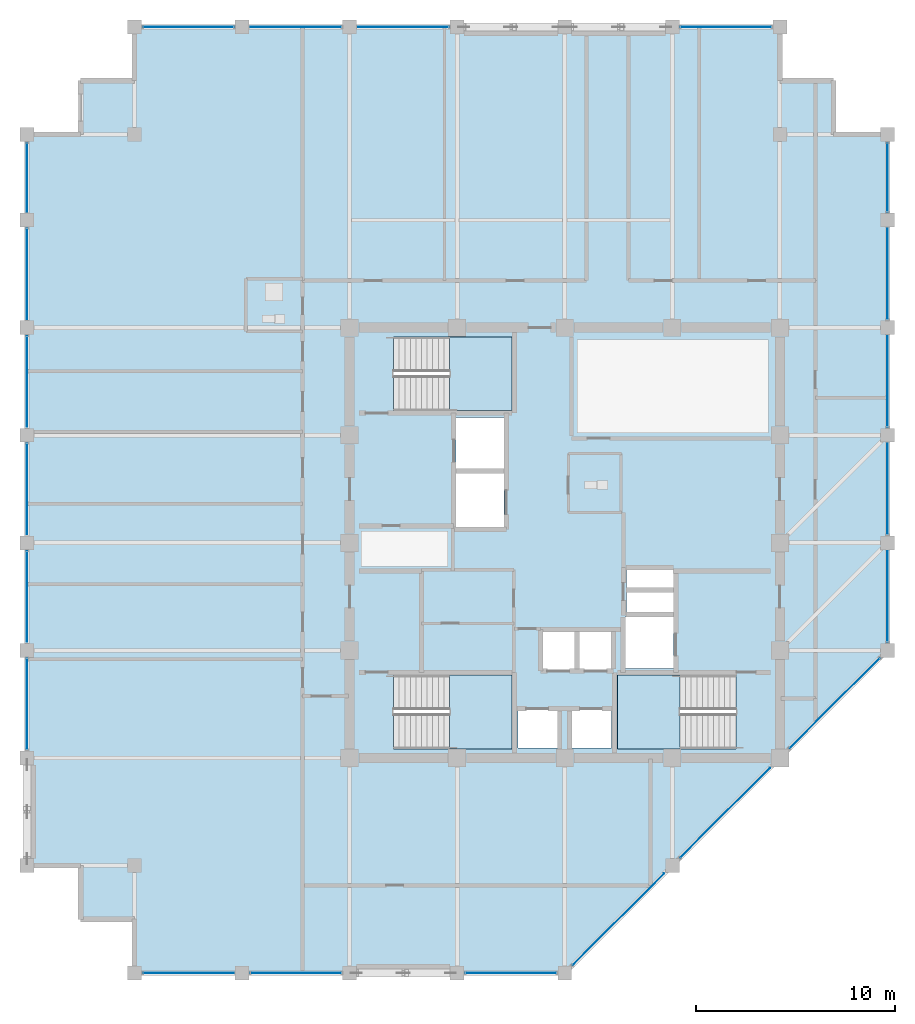
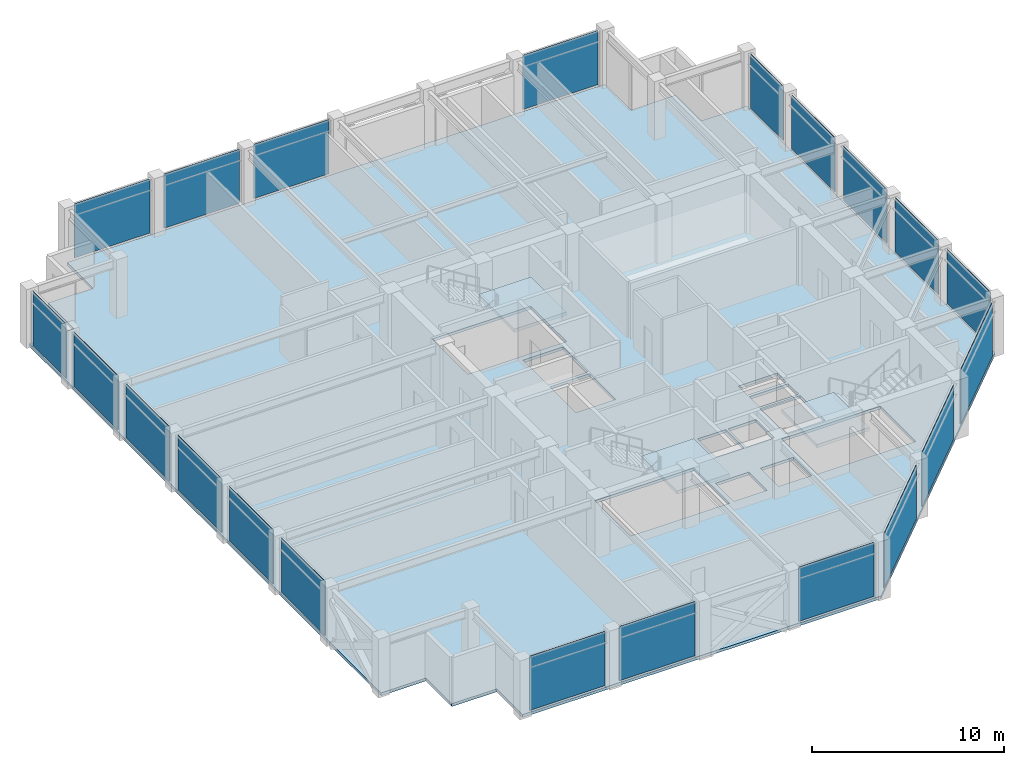
# One storey, part 23 of 30: 21 plates, 4 slabs, 10 elements without a shape of their own.
"""IFC4 building model written with IfcOpenShell, lengths in metres."""

from ifc_helpers import new_model, si_unit, direction, frame, frame_2d, origin, place, context, subcontext, project, spatial, polyline, rectangle, outline, extrude, material, layer, layer_set, type_object, element, aggregate, save


model = new_model("IFC4")

# Units and contexts
model_context = context("Model", 3, precision=1e-05, world=origin(), true_north=direction((0.0, 1.0)))
body_context = subcontext(model_context, "Body", "Model", "MODEL_VIEW")
ifc_project = project(units=[si_unit("LENGTHUNIT", "METRE"), si_unit("AREAUNIT", "SQUARE_METRE"), si_unit("VOLUMEUNIT", "CUBIC_METRE"), si_unit("PLANEANGLEUNIT", "RADIAN"), si_unit("MASSUNIT", "GRAM", prefix="KILO")], contexts=[model_context])

# Site, building, storey
site_placement = place(None, origin())
site = spatial("IfcSite", under=ifc_project, at=site_placement, CompositionType="ELEMENT")
building_placement = place(site_placement, origin())
building = spatial("IfcBuilding", under=site, at=building_placement, Name="Surkhivell Harbour Commons", CompositionType="ELEMENT")
storey_placement = place(building_placement, frame((0.0, 0.0, 296.25)))
storey = spatial("IfcBuildingStorey", under=building, at=storey_placement, Name="L77", CompositionType="ELEMENT", Elevation=296.25)

# Curtain wall, plates
ifc_material_1 = material(Name="Anodised pale-metal aluminium and insulated glazing", Category="aluminium")
ifc_layer_1 = layer(ifc_material_1, 0.175048828125)
ifc_layer_set_1 = layer_set([ifc_layer_1], Name="Anodised pale-metal aluminium and insulated glazing")
curtain_wall_type = type_object("IfcCurtainWallType", Name="CW-SYS-Z4", PredefinedType="NOTDEFINED", material=ifc_layer_set_1)
curtain_wall_1_placement = place(storey_placement, origin())
curtain_wall_1 = element("IfcCurtainWall", 1, at=curtain_wall_1_placement, inside=storey, type_object=curtain_wall_type, Name="L77 Curtain Wall CW-L77-E00S1", PredefinedType="NOTDEFINED")
ifc_material_2 = material(Name="Double-silver low-E laminated vision glass", Category="glass")
ifc_layer_2 = layer(ifc_material_2, 0.031982421875)
ifc_layer_set_2 = layer_set([ifc_layer_2], Name="Double-silver low-E laminated vision glass")
plate_type = type_object("IfcPlateType", Name="CWP-GLZ-32", PredefinedType="CURTAIN_PANEL", material=ifc_layer_set_2)
plate_1_placement = place(storey_placement, frame((-21.173095703125, -21.60009765625, 0.1298828125), z_axis=(0.0, 0.0, 1.0), x_axis=(1.0, 0.0, 0.0)))
plate_1 = element("IfcPlate", 2, at=plate_1_placement, type_object=plate_type, Name="CW-Z4 panel 1.1", PredefinedType="CURTAIN_PANEL", context=body_context, shape_type="SweptSolid", body=[
    extrude(rectangle(XDim=4.546142578125, YDim=0.031982421875, at=frame_2d((2.27294921875, 0.0))), origin(), (0.0, 0.0, 1.0), 3.440185546875),
])
plate_2_placement = place(storey_placement, frame((-15.77294921875, -21.60009765625, 0.1298828125), z_axis=(0.0, 0.0, 1.0), x_axis=(1.0, 0.0, 0.0)))
plate_2 = element("IfcPlate", 3, at=plate_2_placement, type_object=plate_type, Name="CW-Z4 panel 2.1", PredefinedType="CURTAIN_PANEL", context=body_context, shape_type="SweptSolid", body=[
    extrude(rectangle(XDim=4.5458984375, YDim=0.031982421875, at=frame_2d((2.27294921875, 0.0))), origin(), (0.0, 0.0, 1.0), 3.440185546875),
])
aggregate(curtain_wall_1, [plate_1, plate_2])

# Curtain wall, plate
curtain_wall_2_placement = place(storey_placement, origin())
curtain_wall_2 = element("IfcCurtainWall", 4, at=curtain_wall_2_placement, inside=storey, type_object=curtain_wall_type, Name="L77 Curtain Wall CW-L77-E00S2", PredefinedType="NOTDEFINED")
plate_3_placement = place(storey_placement, frame((-4.972900390625, -21.60009765625, 0.1298828125), z_axis=(0.0, 0.0, 1.0), x_axis=(1.0, 0.0, 0.0)))
plate_3 = element("IfcPlate", 5, at=plate_3_placement, type_object=plate_type, Name="CW-Z4 panel 1.1", PredefinedType="CURTAIN_PANEL", context=body_context, shape_type="SweptSolid", body=[
    extrude(rectangle(XDim=4.5458984375, YDim=0.031982421875, at=frame_2d((2.27294921875, 0.0))), origin(), (0.0, 0.0, 1.0), 3.440185546875),
])
aggregate(curtain_wall_2, [plate_3])

# Curtain wall, plates
curtain_wall_3_placement = place(storey_placement, origin())
curtain_wall_3 = element("IfcCurtainWall", 6, at=curtain_wall_3_placement, inside=storey, type_object=curtain_wall_type, Name="L77 Curtain Wall CW-L77-E01", PredefinedType="NOTDEFINED")
plate_4_placement = place(storey_placement, frame((0.404541015625, -21.1953125, 0.1298828125), z_axis=(0.0, 0.0, 1.0), x_axis=(0.707125583467, 0.707087978406, 0.0)))
plate_4 = element("IfcPlate", 7, at=plate_4_placement, type_object=plate_type, Name="CW-Z4 panel 1.1", PredefinedType="CURTAIN_PANEL", context=body_context, shape_type="SweptSolid", body=[
    extrude(rectangle(XDim=6.4921875, YDim=0.031982421875, at=frame_2d((3.24609375, 0.0))), origin(), (0.0, 0.0, 1.0), 3.440185546875),
])
plate_5_placement = place(storey_placement, frame((5.8046875, -15.79541015625, 0.1298828125), z_axis=(0.0, 0.0, 1.0), x_axis=(0.707106781187, 0.707106781187, 0.0)))
plate_5 = element("IfcPlate", 8, at=plate_5_placement, type_object=plate_type, Name="CW-Z4 panel 2.1", PredefinedType="CURTAIN_PANEL", context=body_context, shape_type="SweptSolid", body=[
    extrude(rectangle(XDim=6.350830078125, YDim=0.031982421875, at=frame_2d((3.17529296875, 0.0))), origin(), (0.0, 0.0, 1.0), 3.440185546875),
])
plate_6_placement = place(storey_placement, frame((11.3046875, -10.29541015625, 0.1298828125), z_axis=(0.0, 0.0, 1.0), x_axis=(0.707106781187, 0.707106781187, 0.0)))
plate_6 = element("IfcPlate", 9, at=plate_6_placement, type_object=plate_type, Name="CW-Z4 panel 3.1", PredefinedType="CURTAIN_PANEL", context=body_context, shape_type="SweptSolid", body=[
    extrude(rectangle(XDim=6.350830078125, YDim=0.031982421875, at=frame_2d((3.17529296875, 0.0))), origin(), (0.0, 0.0, 1.0), 3.440185546875),
])
aggregate(curtain_wall_3, [plate_4, plate_5, plate_6])

curtain_wall_4_placement = place(storey_placement, origin())
curtain_wall_4 = element("IfcCurtainWall", 10, at=curtain_wall_4_placement, inside=storey, type_object=curtain_wall_type, Name="L77 Curtain Wall CW-L77-E02", PredefinedType="NOTDEFINED")
plate_7_placement = place(storey_placement, frame((16.199951171875, -4.972900390625, 0.1298828125), z_axis=(0.0, 0.0, 1.0), x_axis=(0.0, 1.0, 0.0)))
plate_7 = element("IfcPlate", 11, at=plate_7_placement, type_object=plate_type, Name="CW-Z4 panel 1.1", PredefinedType="CURTAIN_PANEL", context=body_context, shape_type="SweptSolid", body=[
    extrude(rectangle(XDim=4.5458984375, YDim=0.031982421875, at=frame_2d((2.27294921875, 0.0))), origin(), (0.0, 0.0, 1.0), 3.440185546875),
])
plate_8_placement = place(storey_placement, frame((16.199951171875, 0.427001953125, 0.1298828125), z_axis=(0.0, 0.0, 1.0), x_axis=(0.0, 1.0, 0.0)))
plate_8 = element("IfcPlate", 12, at=plate_8_placement, type_object=plate_type, Name="CW-Z4 panel 2.1", PredefinedType="CURTAIN_PANEL", context=body_context, shape_type="SweptSolid", body=[
    extrude(rectangle(XDim=4.5458984375, YDim=0.031982421875, at=frame_2d((2.27294921875, 0.0))), origin(), (0.0, 0.0, 1.0), 3.440185546875),
])
plate_9_placement = place(storey_placement, frame((16.199951171875, 5.826904296875, 0.1298828125), z_axis=(0.0, 0.0, 1.0), x_axis=(0.0, 1.0, 0.0)))
plate_9 = element("IfcPlate", 13, at=plate_9_placement, type_object=plate_type, Name="CW-Z4 panel 3.1", PredefinedType="CURTAIN_PANEL", context=body_context, shape_type="SweptSolid", body=[
    extrude(rectangle(XDim=4.546142578125, YDim=0.031982421875, at=frame_2d((2.27294921875, 0.0))), origin(), (0.0, 0.0, 1.0), 3.440185546875),
])
plate_10_placement = place(storey_placement, frame((16.199951171875, 11.22705078125, 0.1298828125), z_axis=(0.0, 0.0, 1.0), x_axis=(0.0, 1.0, 0.0)))
plate_10 = element("IfcPlate", 14, at=plate_10_placement, type_object=plate_type, Name="CW-Z4 panel 4.1", PredefinedType="CURTAIN_PANEL", context=body_context, shape_type="SweptSolid", body=[
    extrude(rectangle(XDim=4.5458984375, YDim=0.031982421875, at=frame_2d((2.27294921875, 0.0))), origin(), (0.0, 0.0, 1.0), 3.440185546875),
])
plate_11_placement = place(storey_placement, frame((16.199951171875, 16.626953125, 0.1298828125), z_axis=(0.0, 0.0, 1.0), x_axis=(0.0, 1.0, 0.0)))
plate_11 = element("IfcPlate", 15, at=plate_11_placement, type_object=plate_type, Name="CW-Z4 panel 5.1", PredefinedType="CURTAIN_PANEL", context=body_context, shape_type="SweptSolid", body=[
    extrude(rectangle(XDim=3.446044921875, YDim=0.031982421875, at=frame_2d((1.72314453125, 0.0))), origin(), (0.0, 0.0, 1.0), 3.440185546875),
])
aggregate(curtain_wall_4, [plate_7, plate_8, plate_9, plate_10, plate_11])

# Curtain wall, plate
curtain_wall_5_placement = place(storey_placement, origin())
curtain_wall_5 = element("IfcCurtainWall", 16, at=curtain_wall_5_placement, inside=storey, type_object=curtain_wall_type, Name="L77 Curtain Wall CW-L77-E07S1", PredefinedType="NOTDEFINED")
plate_12_placement = place(storey_placement, frame((10.373046875, 25.89990234375, 0.1298828125), z_axis=(0.0, 0.0, 1.0), x_axis=(-1.0, 0.0, 0.0)))
plate_12 = element("IfcPlate", 17, at=plate_12_placement, type_object=plate_type, Name="CW-Z4 panel 1.1", PredefinedType="CURTAIN_PANEL", context=body_context, shape_type="SweptSolid", body=[
    extrude(rectangle(XDim=4.546142578125, YDim=0.031982421875, at=frame_2d((2.27294921875, 0.0))), origin(), (0.0, 0.0, 1.0), 3.440185546875),
])
aggregate(curtain_wall_5, [plate_12])

# Curtain wall, plates
curtain_wall_6_placement = place(storey_placement, origin())
curtain_wall_6 = element("IfcCurtainWall", 18, at=curtain_wall_6_placement, inside=storey, type_object=curtain_wall_type, Name="L77 Curtain Wall CW-L77-E07S2", PredefinedType="NOTDEFINED")
plate_13_placement = place(storey_placement, frame((-5.826904296875, 25.89990234375, 0.1298828125), z_axis=(0.0, 0.0, 1.0), x_axis=(-1.0, 0.0, 0.0)))
plate_13 = element("IfcPlate", 19, at=plate_13_placement, type_object=plate_type, Name="CW-Z4 panel 1.1", PredefinedType="CURTAIN_PANEL", context=body_context, shape_type="SweptSolid", body=[
    extrude(rectangle(XDim=4.546142578125, YDim=0.031982421875, at=frame_2d((2.27294921875, 0.0))), origin(), (0.0, 0.0, 1.0), 3.440185546875),
])
plate_14_placement = place(storey_placement, frame((-11.22705078125, 25.89990234375, 0.1298828125), z_axis=(0.0, 0.0, 1.0), x_axis=(-1.0, 0.0, 0.0)))
plate_14 = element("IfcPlate", 20, at=plate_14_placement, type_object=plate_type, Name="CW-Z4 panel 2.1", PredefinedType="CURTAIN_PANEL", context=body_context, shape_type="SweptSolid", body=[
    extrude(rectangle(XDim=4.5458984375, YDim=0.031982421875, at=frame_2d((2.27294921875, 0.0))), origin(), (0.0, 0.0, 1.0), 3.440185546875),
])
plate_15_placement = place(storey_placement, frame((-16.626953125, 25.89990234375, 0.1298828125), z_axis=(0.0, 0.0, 1.0), x_axis=(-1.0, 0.0, 0.0)))
plate_15 = element("IfcPlate", 21, at=plate_15_placement, type_object=plate_type, Name="CW-Z4 panel 3.1", PredefinedType="CURTAIN_PANEL", context=body_context, shape_type="SweptSolid", body=[
    extrude(rectangle(XDim=4.546142578125, YDim=0.031982421875, at=frame_2d((2.27294921875, 0.0))), origin(), (0.0, 0.0, 1.0), 3.440185546875),
])
aggregate(curtain_wall_6, [plate_13, plate_14, plate_15])

curtain_wall_7_placement = place(storey_placement, origin())
curtain_wall_7 = element("IfcCurtainWall", 22, at=curtain_wall_7_placement, inside=storey, type_object=curtain_wall_type, Name="L77 Curtain Wall CW-L77-E12S1", PredefinedType="NOTDEFINED")
plate_16_placement = place(storey_placement, frame((-27.0, 20.072998046875, 0.1298828125), z_axis=(0.0, 0.0, 1.0), x_axis=(0.0, -1.0, 0.0)))
plate_16 = element("IfcPlate", 23, at=plate_16_placement, type_object=plate_type, Name="CW-Z4 panel 1.1", PredefinedType="CURTAIN_PANEL", context=body_context, shape_type="SweptSolid", body=[
    extrude(rectangle(XDim=3.446044921875, YDim=0.031982421875, at=frame_2d((1.72314453125, 0.0))), origin(), (0.0, 0.0, 1.0), 3.440185546875),
])
plate_17_placement = place(storey_placement, frame((-27.0, 15.77294921875, 0.1298828125), z_axis=(0.0, 0.0, 1.0), x_axis=(0.0, -1.0, 0.0)))
plate_17 = element("IfcPlate", 24, at=plate_17_placement, type_object=plate_type, Name="CW-Z4 panel 2.1", PredefinedType="CURTAIN_PANEL", context=body_context, shape_type="SweptSolid", body=[
    extrude(rectangle(XDim=4.5458984375, YDim=0.031982421875, at=frame_2d((2.27294921875, 0.0))), origin(), (0.0, 0.0, 1.0), 3.440185546875),
])
plate_18_placement = place(storey_placement, frame((-27.0, 10.373046875, 0.1298828125), z_axis=(0.0, 0.0, 1.0), x_axis=(0.0, -1.0, 0.0)))
plate_18 = element("IfcPlate", 25, at=plate_18_placement, type_object=plate_type, Name="CW-Z4 panel 3.1", PredefinedType="CURTAIN_PANEL", context=body_context, shape_type="SweptSolid", body=[
    extrude(rectangle(XDim=4.546142578125, YDim=0.031982421875, at=frame_2d((2.27294921875, 0.0))), origin(), (0.0, 0.0, 1.0), 3.440185546875),
])
plate_19_placement = place(storey_placement, frame((-27.0, 4.972900390625, 0.1298828125), z_axis=(0.0, 0.0, 1.0), x_axis=(0.0, -1.0, 0.0)))
plate_19 = element("IfcPlate", 26, at=plate_19_placement, type_object=plate_type, Name="CW-Z4 panel 4.1", PredefinedType="CURTAIN_PANEL", context=body_context, shape_type="SweptSolid", body=[
    extrude(rectangle(XDim=4.5458984375, YDim=0.031982421875, at=frame_2d((2.27294921875, 0.0))), origin(), (0.0, 0.0, 1.0), 3.440185546875),
])
plate_20_placement = place(storey_placement, frame((-27.0, -0.427001953125, 0.1298828125), z_axis=(0.0, 0.0, 1.0), x_axis=(0.0, -1.0, 0.0)))
plate_20 = element("IfcPlate", 27, at=plate_20_placement, type_object=plate_type, Name="CW-Z4 panel 5.1", PredefinedType="CURTAIN_PANEL", context=body_context, shape_type="SweptSolid", body=[
    extrude(rectangle(XDim=4.5458984375, YDim=0.031982421875, at=frame_2d((2.27294921875, 0.0))), origin(), (0.0, 0.0, 1.0), 3.440185546875),
])
plate_21_placement = place(storey_placement, frame((-27.0, -5.826904296875, 0.1298828125), z_axis=(0.0, 0.0, 1.0), x_axis=(0.0, -1.0, 0.0)))
plate_21 = element("IfcPlate", 28, at=plate_21_placement, type_object=plate_type, Name="CW-Z4 panel 6.1", PredefinedType="CURTAIN_PANEL", context=body_context, shape_type="SweptSolid", body=[
    extrude(rectangle(XDim=4.546142578125, YDim=0.031982421875, at=frame_2d((2.27294921875, 0.0))), origin(), (0.0, 0.0, 1.0), 3.440185546875),
])
aggregate(curtain_wall_7, [plate_16, plate_17, plate_18, plate_19, plate_20, plate_21])

# Stair, slab
ifc_material_3 = material(Name="Precast concrete C45/55", Category="concrete")
stair_type = type_object("IfcStairType", Name="STR-DL-375", PredefinedType="HALF_TURN_STAIR", material=ifc_material_3)
stair_1_placement = place(storey_placement, origin())
stair_1 = element("IfcStair", 29, at=stair_1_placement, inside=storey, type_object=stair_type, Name="L77 Core Exit Stair ST1", PredefinedType="HALF_TURN_STAIR")
ifc_material_4 = material(Name="Reinforced concrete C45/55", Category="concrete")
ifc_layer_3 = layer(ifc_material_4, 0.199951171875)
ifc_layer_set_3 = layer_set([ifc_layer_3], Name="Reinforced concrete C45/55")
slab_type_1 = type_object("IfcSlabType", Name="SLB-ST-LND200", PredefinedType="LANDING", material=ifc_layer_set_3)
slab_1_placement = place(storey_placement, frame((0.0, 0.0, 1.675048828125)))
slab_1 = element("IfcSlab", 30, at=slab_1_placement, type_object=slab_type_1, Name="ST1 landing 1", PredefinedType="LANDING", context=body_context, shape_type="SweptSolid", body=[
    extrude(outline(polyline([(-5.7900390625, 6.639892578125), (-2.639892578125, 6.639892578125), (-2.639892578125, 10.340087890625), (-5.7900390625, 10.340087890625), (-5.7900390625, 6.639892578125)])), origin(), (0.0, 0.0, 1.0), 0.199951171875),
])
aggregate(stair_1, [slab_1])

stair_2_placement = place(storey_placement, origin())
stair_2 = element("IfcStair", 31, at=stair_2_placement, inside=storey, type_object=stair_type, Name="L77 Core Exit Stair ST2", PredefinedType="HALF_TURN_STAIR")
slab_2_placement = place(storey_placement, frame((0.0, 0.0, 1.675048828125)))
slab_2 = element("IfcSlab", 32, at=slab_2_placement, type_object=slab_type_1, Name="ST2 landing 1", PredefinedType="LANDING", context=body_context, shape_type="SweptSolid", body=[
    extrude(outline(polyline([(5.7900390625, -6.639892578125), (2.639892578125, -6.639892578125), (2.639892578125, -10.340087890625), (5.7900390625, -10.340087890625), (5.7900390625, -6.639892578125)])), origin(), (0.0, 0.0, 1.0), 0.199951171875),
])
aggregate(stair_2, [slab_2])

stair_3_placement = place(storey_placement, origin())
stair_3 = element("IfcStair", 33, at=stair_3_placement, inside=storey, type_object=stair_type, Name="L77 Core Exit Stair ST3", PredefinedType="HALF_TURN_STAIR")
slab_3_placement = place(storey_placement, frame((0.0, 0.0, 1.675048828125)))
slab_3 = element("IfcSlab", 34, at=slab_3_placement, type_object=slab_type_1, Name="ST3 landing 1", PredefinedType="LANDING", context=body_context, shape_type="SweptSolid", body=[
    extrude(outline(polyline([(-5.7900390625, -10.340087890625), (-2.639892578125, -10.340087890625), (-2.639892578125, -6.639892578125), (-5.7900390625, -6.639892578125), (-5.7900390625, -10.340087890625)])), origin(), (0.0, 0.0, 1.0), 0.199951171875),
])
aggregate(stair_3, [slab_3])

# Slab
ifc_material_5 = material(Name="Concrete C45/55", Category="concrete")
ifc_layer_4 = layer(ifc_material_5, 0.179931640625)
ifc_layer_set_4 = layer_set([ifc_layer_4], Name="Concrete C45/55")
slab_type_2 = type_object("IfcSlabType", Name="SLB-TYP-180", PredefinedType="FLOOR", material=ifc_layer_set_4)
slab_4_placement = place(storey_placement, frame((0.0, 0.0, -0.179931640625)))
element("IfcSlab", 35, at=slab_4_placement, inside=storey, type_object=slab_type_2, Name="L77 Structural Floor Slab", PredefinedType="FLOOR", context=body_context, shape_type="SweptSolid", body=[
    extrude(outline(polyline([(-21.60009765625, -21.60009765625), (0.0, -21.60009765625), (16.199951171875, -5.39990234375), (16.199951171875, 20.5), (13.5, 20.5), (13.5, 23.199951171875), (10.800048828125, 23.199951171875), (10.800048828125, 25.89990234375), (-21.60009765625, 25.89990234375), (-21.60009765625, 23.199951171875), (-24.300048828125, 23.199951171875), (-24.300048828125, 20.5), (-27.0, 20.5), (-27.0, -16.199951171875), (-24.300048828125, -16.199951171875), (-24.300048828125, -18.89990234375), (-21.60009765625, -18.89990234375), (-21.60009765625, -21.60009765625)]), holes=[polyline([(-8.590087890625, 6.639892578125), (-2.639892578125, 6.639892578125), (-2.639892578125, 10.340087890625), (-8.590087890625, 10.340087890625), (-8.590087890625, 6.639892578125)]), polyline([(8.590087890625, -6.639892578125), (2.639892578125, -6.639892578125), (2.639892578125, -10.340087890625), (8.590087890625, -10.340087890625), (8.590087890625, -6.639892578125)]), polyline([(-8.590087890625, -10.340087890625), (-2.639892578125, -10.340087890625), (-2.639892578125, -6.639892578125), (-8.590087890625, -6.639892578125), (-8.590087890625, -10.340087890625)]), polyline([(-1.14990234375, -6.35009765625), (0.550048828125, -6.35009765625), (0.550048828125, -4.449951171875), (-1.14990234375, -4.449951171875), (-1.14990234375, -6.35009765625)]), polyline([(0.679931640625, -6.35009765625), (2.3798828125, -6.35009765625), (2.3798828125, -4.449951171875), (0.679931640625, -4.449951171875), (0.679931640625, -6.35009765625)]), polyline([(-2.35009765625, -10.300048828125), (-0.35009765625, -10.300048828125), (-0.35009765625, -8.39990234375), (-2.35009765625, -8.39990234375), (-2.35009765625, -10.300048828125)]), polyline([(0.35009765625, -10.300048828125), (2.35009765625, -10.300048828125), (2.35009765625, -8.39990234375), (0.35009765625, -8.39990234375), (0.35009765625, -10.300048828125)]), polyline([(-5.449951171875, 3.699951171875), (-3.050048828125, 3.699951171875), (-3.050048828125, 6.300048828125), (-5.449951171875, 6.300048828125), (-5.449951171875, 3.699951171875)]), polyline([(3.050048828125, -6.300048828125), (5.449951171875, -6.300048828125), (5.449951171875, -3.699951171875), (3.050048828125, -3.699951171875), (3.050048828125, -6.300048828125)]), polyline([(-5.449951171875, 0.800048828125), (-3.050048828125, 0.800048828125), (-3.050048828125, 3.5), (-5.449951171875, 3.5), (-5.449951171875, 0.800048828125)]), polyline([(3.10009765625, -3.550048828125), (5.449951171875, -3.550048828125), (5.449951171875, -2.47998046875), (3.10009765625, -2.47998046875), (3.10009765625, -3.550048828125)]), polyline([(3.10009765625, -2.280029296875), (5.449951171875, -2.280029296875), (5.449951171875, -1.35009765625), (3.10009765625, -1.35009765625), (3.10009765625, -2.280029296875)])]), origin(), (0.0, 0.0, 1.0), 0.179931640625),
])

save(model, "model.ifc")
